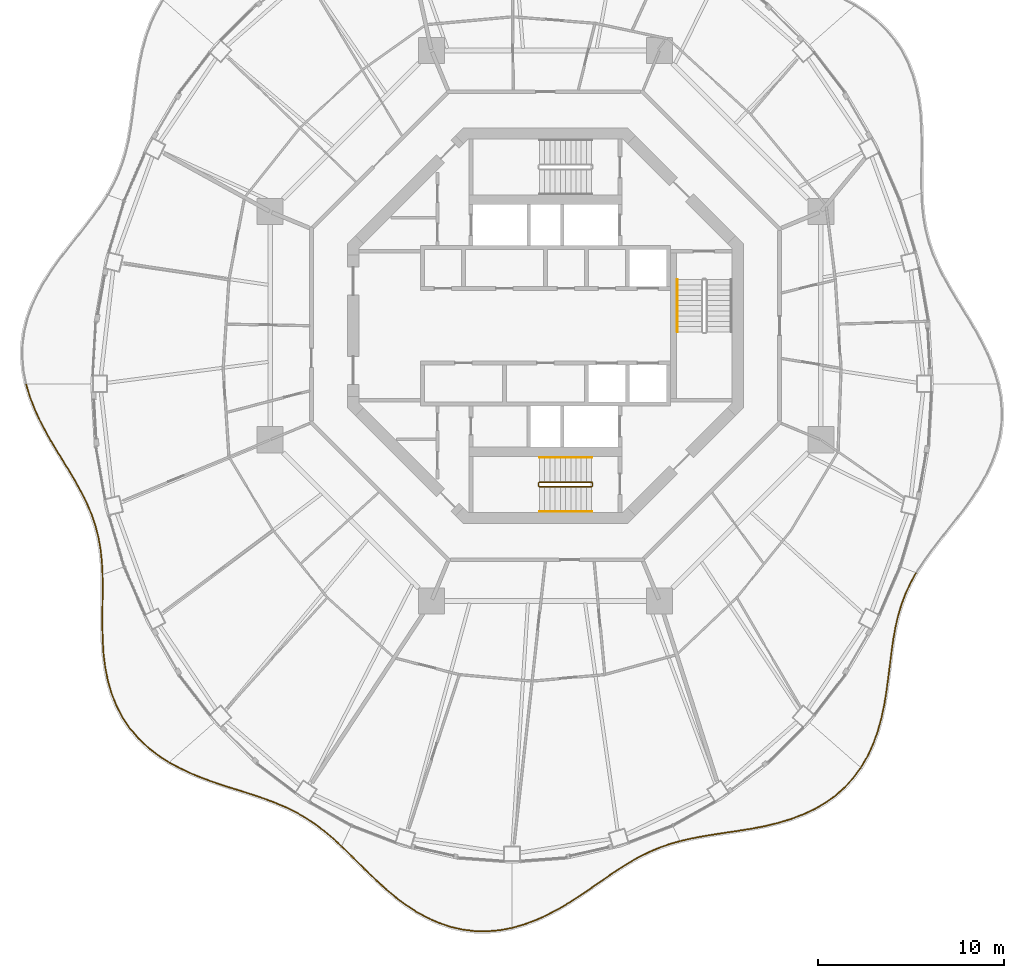
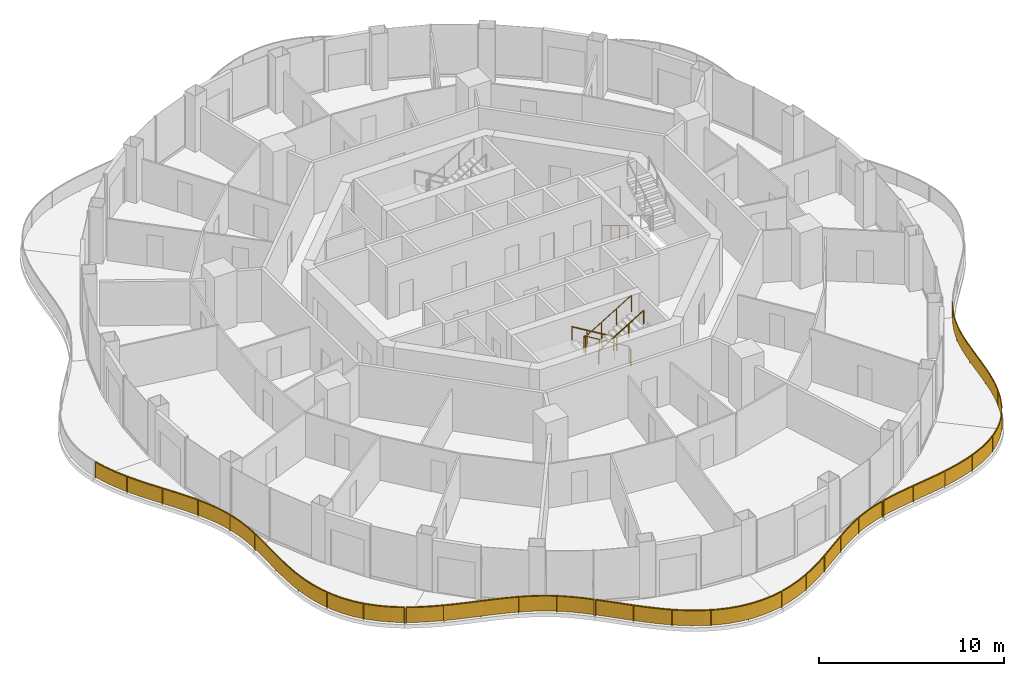
# One storey, part 15 of 17: 11 railings.
"""IFC4 building model written with IfcOpenShell, lengths in metres."""

from ifc_helpers import new_model, si_unit, direction, frame, origin, origin_2d, place, context, subcontext, project, spatial, polyline, rectangle, circle, outline, extrude, material, type_object, element, save


model = new_model("IFC4")

# Units and contexts
model_context = context("Model", 3, precision=1e-05, world=origin(), true_north=direction((0.0, 1.0)))
body_context = subcontext(model_context, "Body", "Model", "MODEL_VIEW")
ifc_project = project(units=[si_unit("LENGTHUNIT", "METRE"), si_unit("AREAUNIT", "SQUARE_METRE"), si_unit("VOLUMEUNIT", "CUBIC_METRE"), si_unit("PLANEANGLEUNIT", "RADIAN"), si_unit("MASSUNIT", "GRAM", prefix="KILO")], contexts=[model_context])

# Site, building, storey
site_placement = place(None, origin())
site = spatial("IfcSite", under=ifc_project, at=site_placement, CompositionType="ELEMENT")
building_placement = place(site_placement, origin())
building = spatial("IfcBuilding", under=site, at=building_placement, Name="Nagisa Residences", CompositionType="ELEMENT")
storey_placement = place(building_placement, frame((0.0, 0.0, 273.300048828125)))
storey = spatial("IfcBuildingStorey", under=building, at=storey_placement, Name="L69", CompositionType="ELEMENT", Elevation=273.300048828125)

# Railings
ifc_material_1 = material(Name="Stainless steel 316", Category="steel")
railing_type_1 = type_object("IfcRailingType", Name="BALCONY GUARD 1100", PredefinedType="BALUSTRADE", material=ifc_material_1)
railing_1_placement = place(storey_placement, frame((-27.88232421875, -3.15478515625, 0.0)))
element("IfcRailing", 1, at=railing_1_placement, inside=storey, type_object=railing_type_1, Name="guard:L69:bal08-0", PredefinedType="BALUSTRADE", context=body_context, shape_type="SweptSolid", body=[
    extrude(outline(polyline([(0.219482421875, -0.64892578125), (0.02392578125, 0.007080078125), (-0.02392578125, -0.007080078125), (0.172119140625, -0.6650390625), (0.439453125, -1.356689453125), (0.75537109375, -2.03515625), (1.107666015625, -2.6982421875), (1.48291015625, -3.345947265625), (1.865478515625, -3.965087890625), (2.2451171875, -4.585205078125), (2.607666015625, -5.195556640625), (2.942626953125, -5.80029296875), (3.240478515625, -6.403076171875), (3.49169921875, -6.9951171875), (3.69873046875, -7.608642578125), (3.857421875, -8.234130859375), (3.96923828125, -8.875732421875), (4.03955078125, -9.535888671875), (4.0712890625, -10.173583984375), (4.12109375, -10.171142578125), (4.08935546875, -9.531982421875), (4.01904296875, -8.868896484375), (3.90625, -8.223876953125), (3.74658203125, -7.594482421875), (3.53857421875, -6.9775390625), (3.285888671875, -6.382080078125), (2.987060546875, -5.77685546875), (2.651123046875, -5.170654296875), (2.2880859375, -4.559326171875), (1.907958984375, -3.938720703125), (1.52587890625, -3.320068359375), (1.151611328125, -2.673828125), (0.80029296875, -2.0126953125), (0.4853515625, -1.337158203125), (0.219482421875, -0.64892578125)])), frame((0.0, 0.0, 1.050048828125)), (0.0, 0.0, 1.0), 0.050048828125),
    extrude(outline(polyline([(0.202392578125, -0.65478515625), (0.006591796875, 0.001953125), (-0.006591796875, -0.001953125), (0.189208984375, -0.6591796875), (0.4560546875, -1.349609375), (0.771484375, -2.027099609375), (1.12353515625, -2.689453125), (1.498291015625, -3.336669921875), (1.880859375, -3.95556640625), (2.260498046875, -4.575927734375), (2.623291015625, -5.1865234375), (2.958740234375, -5.791748046875), (3.2568359375, -6.3955078125), (3.508544921875, -6.98876953125), (3.7158203125, -7.603515625), (3.875, -8.23046875), (3.9873046875, -8.873291015625), (4.057373046875, -9.534423828125), (4.089111328125, -10.172607421875), (4.103271484375, -10.172119140625), (4.071533203125, -9.533447265625), (4.0009765625, -8.871337890625), (3.888671875, -8.2275390625), (3.7294921875, -7.599609375), (3.521728515625, -6.98388671875), (3.26953125, -6.3896484375), (2.970947265625, -5.785400390625), (2.635498046875, -5.1796875), (2.272705078125, -4.568603515625), (1.892578125, -3.9482421875), (1.510498046875, -3.329345703125), (1.1357421875, -2.6826171875), (0.7841796875, -2.020751953125), (0.46875, -1.34423828125), (0.202392578125, -0.65478515625)])), frame((0.0, 0.0, 0.06005859375)), (0.0, 0.0, 1.0), 0.989990234375),
    extrude(rectangle(XDim=0.0400390625, YDim=0.0400390625, at=origin_2d()), origin(), (0.0, 0.0, 1.0), 1.050048828125),
    extrude(rectangle(XDim=0.0400390625, YDim=0.0400390625, at=origin_2d()), frame((0.80029296875, -2.066162109375, 0.0)), (0.0, 0.0, 1.0), 1.050048828125),
    extrude(rectangle(XDim=0.0400390625, YDim=0.0400390625, at=origin_2d()), frame((1.9091796875, -3.988525390625, 0.0)), (0.0, 0.0, 1.0), 1.050048828125),
    extrude(rectangle(XDim=0.0400390625, YDim=0.0400390625, at=origin_2d()), frame((3.023681640625, -5.90771484375, 0.0)), (0.0, 0.0, 1.0), 1.050048828125),
    extrude(rectangle(XDim=0.0400390625, YDim=0.0400390625, at=origin_2d()), frame((3.8173828125, -7.974609375, 0.0)), (0.0, 0.0, 1.0), 1.050048828125),
    extrude(rectangle(XDim=0.0400390625, YDim=0.0400390625, at=origin_2d()), frame((4.09619140625, -10.17236328125, 0.0)), (0.0, 0.0, 1.0), 1.050048828125),
])
railing_2_placement = place(storey_placement, frame((-23.785888671875, -13.400390625, 0.0)))
element("IfcRailing", 2, at=railing_2_placement, inside=storey, type_object=railing_type_1, Name="guard:L69:bal09-0", PredefinedType="BALUSTRADE", context=body_context, shape_type="SweptSolid", body=[
    extrude(outline(polyline([(0.0322265625, -0.63623046875), (0.02490234375, 0.000244140625), (-0.02490234375, -0.000244140625), (-0.01806640625, -0.63623046875), (-0.0234375, -1.333251953125), (-0.0322265625, -2.04541015625), (-0.033447265625, -2.769287109375), (-0.01416015625, -3.49951171875), (0.029052734375, -4.217041015625), (0.1201171875, -4.94140625), (0.26123046875, -5.65185546875), (0.45947265625, -6.341064453125), (0.7197265625, -7.001953125), (1.03759765625, -7.6171875), (1.42626953125, -8.200927734375), (1.87939453125, -8.740966796875), (2.3916015625, -9.233154296875), (2.9560546875, -9.67626953125), (3.527099609375, -10.043212890625), (3.553955078125, -10.001220703125), (2.98486328125, -9.63525390625), (2.42431640625, -9.195556640625), (1.916015625, -8.706787109375), (1.46630859375, -8.170654296875), (1.08056640625, -7.591796875), (0.76513671875, -6.9814453125), (0.5068359375, -6.324951171875), (0.31005859375, -5.64013671875), (0.16943359375, -4.93359375), (0.078857421875, -4.212646484375), (0.03564453125, -3.49755859375), (0.016845703125, -2.768798828125), (0.017578125, -2.0458984375), (0.0263671875, -1.333740234375), (0.0322265625, -0.63623046875)])), frame((0.0, 0.0, 1.050048828125)), (0.0, 0.0, 1.0), 0.050048828125),
    extrude(outline(polyline([(0.01416015625, -0.63623046875), (0.007080078125, 0.0), (-0.007080078125, 0.0), (0.0, -0.63623046875), (-0.005615234375, -1.33349609375), (-0.014404296875, -2.045654296875), (-0.015380859375, -2.76904296875), (0.003662109375, -3.498779296875), (0.046875, -4.215576171875), (0.137939453125, -4.938720703125), (0.27880859375, -5.647705078125), (0.4765625, -6.335205078125), (0.736083984375, -6.99462890625), (1.052978515625, -7.608154296875), (1.440673828125, -8.18994140625), (1.892578125, -8.728759765625), (2.4033203125, -9.2197265625), (2.96630859375, -9.661376953125), (3.53662109375, -10.028076171875), (3.54443359375, -10.016357421875), (2.974609375, -9.650146484375), (2.41259765625, -9.208984375), (1.90283203125, -8.718994140625), (1.451904296875, -8.181640625), (1.065185546875, -7.600830078125), (0.748779296875, -6.98876953125), (0.48974609375, -6.330810546875), (0.29248046875, -5.644287109375), (0.151611328125, -4.936279296875), (0.06103515625, -4.214111328125), (0.017822265625, -3.498291015625), (-0.001220703125, -2.76904296875), (-0.000244140625, -2.045654296875), (0.008544921875, -1.33349609375), (0.01416015625, -0.63623046875)])), frame((0.0, 0.0, 0.06005859375)), (0.0, 0.0, 1.0), 0.989990234375),
    extrude(rectangle(XDim=0.0400390625, YDim=0.0400390625, at=origin_2d()), origin(), (0.0, 0.0, 1.0), 1.050048828125),
    extrude(rectangle(XDim=0.0400390625, YDim=0.0400390625, at=origin_2d()), frame((-0.007568359375, -2.256103515625, 0.0)), (0.0, 0.0, 1.0), 1.050048828125),
    extrude(rectangle(XDim=0.0400390625, YDim=0.0400390625, at=origin_2d()), frame((0.0908203125, -4.50830078125, 0.0)), (0.0, 0.0, 1.0), 1.050048828125),
    extrude(rectangle(XDim=0.0400390625, YDim=0.0400390625, at=origin_2d()), frame((0.624755859375, -6.692626953125, 0.0)), (0.0, 0.0, 1.0), 1.050048828125),
    extrude(rectangle(XDim=0.0400390625, YDim=0.0400390625, at=origin_2d()), frame((1.797607421875, -8.6044921875, 0.0)), (0.0, 0.0, 1.0), 1.050048828125),
    extrude(rectangle(XDim=0.0400390625, YDim=0.0400390625, at=origin_2d()), frame((3.54052734375, -10.022216796875, 0.0)), (0.0, 0.0, 1.0), 1.050048828125),
])
railing_3_placement = place(storey_placement, frame((-20.178466796875, -23.46142578125, 0.0)))
element("IfcRailing", 3, at=railing_3_placement, inside=storey, type_object=railing_type_1, Name="guard:L69:bal10-0", PredefinedType="BALUSTRADE", context=body_context, shape_type="SweptSolid", body=[
    extrude(outline(polyline([(0.58447265625, -0.2861328125), (0.011962890625, 0.02197265625), (-0.011962890625, -0.02197265625), (0.56201171875, -0.3310546875), (1.200439453125, -0.62646484375), (1.8544921875, -0.889404296875), (2.515380859375, -1.125732421875), (3.1748046875, -1.343505859375), (3.8134765625, -1.53955078125), (4.449951171875, -1.7431640625), (5.066650390625, -1.952880859375), (5.660400390625, -2.17529296875), (6.22998046875, -2.418212890625), (6.760986328125, -2.67822265625), (7.282958984375, -2.9775390625), (7.78515625, -3.310791015625), (8.271240234375, -3.677978515625), (8.746826171875, -4.07861328125), (9.18408203125, -4.480224609375), (9.2177734375, -4.443603515625), (8.780029296875, -4.041015625), (8.302490234375, -3.638916015625), (7.81396484375, -3.269775390625), (7.309326171875, -2.93505859375), (6.784423828125, -2.6337890625), (6.2509765625, -2.372802734375), (5.678955078125, -2.12890625), (5.083251953125, -1.905517578125), (4.465576171875, -1.69580078125), (3.82861328125, -1.49169921875), (3.18994140625, -1.295654296875), (2.531494140625, -1.078369140625), (1.8720703125, -0.842529296875), (1.220458984375, -0.58056640625), (0.58447265625, -0.2861328125)])), frame((0.0, 0.0, 1.050048828125)), (0.0, 0.0, 1.0), 0.050048828125),
    extrude(outline(polyline([(0.576416015625, -0.30224609375), (0.00341796875, 0.006103515625), (-0.00341796875, -0.006103515625), (0.570068359375, -0.31494140625), (1.207763671875, -0.60986328125), (1.86083984375, -0.87255859375), (2.521240234375, -1.108642578125), (3.18017578125, -1.326171875), (3.81884765625, -1.522216796875), (4.45556640625, -1.72607421875), (5.072509765625, -1.935791015625), (5.6669921875, -2.15869140625), (6.237548828125, -2.40185546875), (6.76953125, -2.662109375), (7.29248046875, -2.962158203125), (7.79541015625, -3.2958984375), (8.282470703125, -3.663818359375), (8.7587890625, -4.065185546875), (9.1962890625, -4.467041015625), (9.20556640625, -4.456787109375), (8.76806640625, -4.054443359375), (8.291259765625, -3.653076171875), (7.8037109375, -3.28466796875), (7.2998046875, -2.950439453125), (6.77587890625, -2.64990234375), (6.243408203125, -2.38916015625), (5.67236328125, -2.1455078125), (5.077392578125, -1.922607421875), (4.4599609375, -1.712890625), (3.8232421875, -1.509033203125), (3.1845703125, -1.31298828125), (2.525634765625, -1.095458984375), (1.86572265625, -0.859375), (1.213134765625, -0.59716796875), (0.576416015625, -0.30224609375)])), frame((0.0, 0.0, 0.06005859375)), (0.0, 0.0, 1.0), 0.989990234375),
    extrude(rectangle(XDim=0.0400390625, YDim=0.0400390625, at=origin_2d()), origin(), (0.0, 0.0, 1.0), 1.050048828125),
    extrude(rectangle(XDim=0.0400390625, YDim=0.0400390625, at=origin_2d()), frame((1.870849609375, -0.86865234375, 0.0)), (0.0, 0.0, 1.0), 1.050048828125),
    extrude(rectangle(XDim=0.0400390625, YDim=0.0400390625, at=origin_2d()), frame((3.830322265625, -1.5185546875, 0.0)), (0.0, 0.0, 1.0), 1.050048828125),
    extrude(rectangle(XDim=0.0400390625, YDim=0.0400390625, at=origin_2d()), frame((5.779296875, -2.19873046875, 0.0)), (0.0, 0.0, 1.0), 1.050048828125),
    extrude(rectangle(XDim=0.0400390625, YDim=0.0400390625, at=origin_2d()), frame((7.602294921875, -3.159423828125, 0.0)), (0.0, 0.0, 1.0), 1.050048828125),
    extrude(rectangle(XDim=0.0400390625, YDim=0.0400390625, at=origin_2d()), frame((9.200927734375, -4.4619140625, 0.0)), (0.0, 0.0, 1.0), 1.050048828125),
])
railing_4_placement = place(storey_placement, frame((-10.92578125, -27.97509765625, 0.0)))
element("IfcRailing", 4, at=railing_4_placement, inside=storey, type_object=railing_type_1, Name="guard:L69:bal11-0", PredefinedType="BALUSTRADE", context=body_context, shape_type="SweptSolid", body=[
    extrude(outline(polyline([(0.438720703125, -0.391845703125), (0.017333984375, 0.017822265625), (-0.017333984375, -0.017822265625), (0.403564453125, -0.427490234375), (0.8642578125, -0.88427734375), (1.3359375, -1.3505859375), (1.8232421875, -1.818359375), (2.329833984375, -2.27783203125), (2.841796875, -2.714111328125), (3.394287109375, -3.128173828125), (3.970703125, -3.50439453125), (4.5703125, -3.83447265625), (5.191650390625, -4.1103515625), (5.816162109375, -4.32275390625), (6.46826171875, -4.471923828125), (7.133056640625, -4.55224609375), (7.803466796875, -4.563232421875), (8.47412109375, -4.505126953125), (9.09228515625, -4.38818359375), (9.0830078125, -4.3388671875), (8.46728515625, -4.455322265625), (7.801513671875, -4.512939453125), (7.136474609375, -4.50244140625), (6.47705078125, -4.422607421875), (5.829833984375, -4.2744140625), (5.209716796875, -4.0634765625), (4.5927734375, -3.78955078125), (3.99658203125, -3.46142578125), (3.423095703125, -3.087158203125), (2.873046875, -2.675048828125), (2.363037109375, -2.240234375), (1.857421875, -1.78173828125), (1.37109375, -1.31494140625), (0.8994140625, -0.8486328125), (0.438720703125, -0.391845703125)])), frame((0.0, 0.0, 1.050048828125)), (0.0, 0.0, 1.0), 0.050048828125),
    extrude(outline(polyline([(0.426025390625, -0.40478515625), (0.0048828125, 0.005126953125), (-0.0048828125, -0.005126953125), (0.416259765625, -0.41455078125), (0.876953125, -0.871337890625), (1.3486328125, -1.337890625), (1.83544921875, -1.80517578125), (2.341796875, -2.264404296875), (2.85302734375, -2.699951171875), (3.40478515625, -3.113525390625), (3.97998046875, -3.489013671875), (4.578369140625, -3.818359375), (5.1982421875, -4.093505859375), (5.821044921875, -4.305419921875), (6.471435546875, -4.4541015625), (7.13427734375, -4.534423828125), (7.802734375, -4.545166015625), (8.4716796875, -4.487060546875), (9.0888671875, -4.370361328125), (9.08642578125, -4.356689453125), (8.4697265625, -4.473388671875), (7.80224609375, -4.531005859375), (7.13525390625, -4.520263671875), (6.473876953125, -4.4404296875), (5.824951171875, -4.291748046875), (5.203125, -4.080322265625), (4.584716796875, -3.8056640625), (3.9873046875, -3.476806640625), (3.41259765625, -3.101806640625), (2.86181640625, -2.689208984375), (2.35107421875, -2.253662109375), (1.84521484375, -1.794921875), (1.3583984375, -1.32763671875), (0.88671875, -0.861572265625), (0.426025390625, -0.40478515625)])), frame((0.0, 0.0, 0.06005859375)), (0.0, 0.0, 1.0), 0.989990234375),
    extrude(rectangle(XDim=0.0400390625, YDim=0.0400390625, at=origin_2d()), origin(), (0.0, 0.0, 1.0), 1.050048828125),
    extrude(rectangle(XDim=0.0400390625, YDim=0.0400390625, at=origin_2d()), frame((1.515625, -1.48828125, 0.0)), (0.0, 0.0, 1.0), 1.050048828125),
    extrude(rectangle(XDim=0.0400390625, YDim=0.0400390625, at=origin_2d()), frame((3.11328125, -2.88623046875, 0.0)), (0.0, 0.0, 1.0), 1.050048828125),
    extrude(rectangle(XDim=0.0400390625, YDim=0.0400390625, at=origin_2d()), frame((4.934326171875, -3.96875, 0.0)), (0.0, 0.0, 1.0), 1.050048828125),
    extrude(rectangle(XDim=0.0400390625, YDim=0.0400390625, at=origin_2d()), frame((6.97802734375, -4.50830078125, 0.0)), (0.0, 0.0, 1.0), 1.050048828125),
    extrude(rectangle(XDim=0.0400390625, YDim=0.0400390625, at=origin_2d()), frame((9.087646484375, -4.363525390625, 0.0)), (0.0, 0.0, 1.0), 1.050048828125),
])
railing_5_placement = place(storey_placement, frame((-1.7626953125, -32.3203125, 0.0)))
element("IfcRailing", 5, at=railing_5_placement, inside=storey, type_object=railing_type_1, Name="guard:L69:bal12-0", PredefinedType="BALUSTRADE", context=body_context, shape_type="SweptSolid", body=[
    extrude(outline(polyline([(0.601318359375, 0.197021484375), (-0.0068359375, 0.024169921875), (0.0068359375, -0.024169921875), (0.616943359375, 0.149658203125), (1.261474609375, 0.38916015625), (1.89013671875, 0.675537109375), (2.50146484375, 0.99951171875), (3.09375, 1.351318359375), (3.650146484375, 1.71826171875), (4.206787109375, 2.09521484375), (4.748291015625, 2.470458984375), (5.2783203125, 2.834716796875), (5.800537109375, 3.1806640625), (6.302001953125, 3.496337890625), (6.82177734375, 3.787841796875), (7.34716796875, 4.046875), (7.88232421875, 4.2724609375), (8.431396484375, 4.465576171875), (8.955810546875, 4.616455078125), (8.942138671875, 4.664794921875), (8.416259765625, 4.513427734375), (7.8642578125, 4.3193359375), (7.326171875, 4.09228515625), (6.79833984375, 3.832275390625), (6.276611328125, 3.539306640625), (5.773193359375, 3.22265625), (5.25048828125, 2.876220703125), (4.719970703125, 2.511474609375), (4.178466796875, 2.13671875), (3.622314453125, 1.759765625), (3.0673828125, 1.393798828125), (2.47705078125, 1.04296875), (1.8681640625, 0.720458984375), (1.242431640625, 0.435546875), (0.601318359375, 0.197021484375)])), frame((0.0, 0.0, 1.050048828125)), (0.0, 0.0, 1.0), 0.050048828125),
    extrude(outline(polyline([(0.60693359375, 0.179931640625), (-0.001953125, 0.0068359375), (0.001953125, -0.0068359375), (0.611328125, 0.166748046875), (1.254638671875, 0.40576171875), (1.88232421875, 0.691650390625), (2.49267578125, 1.01513671875), (3.084228515625, 1.36669921875), (3.64013671875, 1.733154296875), (4.196533203125, 2.110107421875), (4.738037109375, 2.485107421875), (5.268310546875, 2.849609375), (5.790771484375, 3.19580078125), (6.29296875, 3.51171875), (6.813232421875, 3.803955078125), (7.339599609375, 4.063232421875), (7.875732421875, 4.289306640625), (8.426025390625, 4.48291015625), (8.950927734375, 4.6337890625), (8.947021484375, 4.6474609375), (8.421630859375, 4.49609375), (7.870849609375, 4.302490234375), (7.333740234375, 4.075927734375), (6.806884765625, 3.816162109375), (6.28564453125, 3.52392578125), (5.782958984375, 3.20751953125), (5.260498046875, 2.861328125), (4.730224609375, 2.496826171875), (4.188720703125, 2.121826171875), (3.63232421875, 1.744873046875), (3.076904296875, 1.37841796875), (2.48583984375, 1.02734375), (1.8759765625, 0.704345703125), (1.249267578125, 0.4189453125), (0.60693359375, 0.179931640625)])), frame((0.0, 0.0, 0.06005859375)), (0.0, 0.0, 1.0), 0.989990234375),
    extrude(rectangle(XDim=0.0400390625, YDim=0.0400390625, at=origin_2d()), origin(), (0.0, 0.0, 1.0), 1.050048828125),
    extrude(rectangle(XDim=0.0400390625, YDim=0.0400390625, at=origin_2d()), frame((1.897216796875, 0.70751953125, 0.0)), (0.0, 0.0, 1.0), 1.050048828125),
    extrude(rectangle(XDim=0.0400390625, YDim=0.0400390625, at=origin_2d()), frame((3.640625, 1.741943359375, 0.0)), (0.0, 0.0, 1.0), 1.050048828125),
    extrude(rectangle(XDim=0.0400390625, YDim=0.0400390625, at=origin_2d()), frame((5.314208984375, 2.888427734375, 0.0)), (0.0, 0.0, 1.0), 1.050048828125),
    extrude(rectangle(XDim=0.0400390625, YDim=0.0400390625, at=origin_2d()), frame((7.052978515625, 3.9296875, 0.0)), (0.0, 0.0, 1.0), 1.050048828125),
    extrude(rectangle(XDim=0.0400390625, YDim=0.0400390625, at=origin_2d()), frame((8.948974609375, 4.640625, 0.0)), (0.0, 0.0, 1.0), 1.050048828125),
])
railing_6_placement = place(storey_placement, frame((7.2548828125, -27.66357421875, 0.0)))
element("IfcRailing", 6, at=railing_6_placement, inside=storey, type_object=railing_type_1, Name="guard:L69:bal13-0", PredefinedType="BALUSTRADE", context=body_context, shape_type="SweptSolid", body=[
    extrude(outline(polyline([(0.560791015625, 0.155517578125), (-0.005615234375, 0.0244140625), (0.005615234375, -0.0244140625), (0.571044921875, 0.106689453125), (1.19873046875, 0.226806640625), (1.8466796875, 0.3330078125), (2.512451171875, 0.43310546875), (3.192626953125, 0.53662109375), (3.867919921875, 0.6435546875), (4.560546875, 0.781005859375), (5.2490234375, 0.948486328125), (5.92578125, 1.153076171875), (6.582763671875, 1.400634765625), (7.199951171875, 1.68603515625), (7.794189453125, 2.032958984375), (8.3466796875, 2.43212890625), (8.851806640625, 2.883056640625), (9.3056640625, 3.383544921875), (9.67626953125, 3.89208984375), (9.6357421875, 3.92138671875), (9.2666015625, 3.415283203125), (8.816650390625, 2.918701171875), (8.3154296875, 2.47119140625), (7.766845703125, 2.074951171875), (7.177001953125, 1.73046875), (6.563232421875, 1.447021484375), (5.90966796875, 1.200439453125), (5.23583984375, 0.996826171875), (4.5498046875, 0.829833984375), (3.859130859375, 0.69287109375), (3.184814453125, 0.5859375), (2.505126953125, 0.482421875), (1.8388671875, 0.38232421875), (1.18994140625, 0.276123046875), (0.560791015625, 0.155517578125)])), frame((0.0, 0.0, 1.050048828125)), (0.0, 0.0, 1.0), 0.050048828125),
    extrude(outline(polyline([(0.564453125, 0.137939453125), (-0.00146484375, 0.0068359375), (0.00146484375, -0.0068359375), (0.5673828125, 0.124267578125), (1.195556640625, 0.24462890625), (1.84375, 0.350830078125), (2.509765625, 0.450927734375), (3.189697265625, 0.554443359375), (3.86474609375, 0.661376953125), (4.556640625, 0.798583984375), (5.244384765625, 0.9658203125), (5.919921875, 1.170166015625), (6.57568359375, 1.41748046875), (7.191650390625, 1.7021484375), (7.784423828125, 2.048095703125), (8.33544921875, 2.4462890625), (8.839111328125, 2.89599609375), (9.29150390625, 3.39501953125), (9.66162109375, 3.902587890625), (9.650390625, 3.910888671875), (9.28076171875, 3.40380859375), (8.829345703125, 2.90576171875), (8.32666015625, 2.45703125), (7.776611328125, 2.059814453125), (7.185302734375, 1.71435546875), (6.5703125, 1.43017578125), (5.91552734375, 1.183349609375), (5.240478515625, 0.9794921875), (4.5537109375, 0.812255859375), (3.8623046875, 0.675048828125), (3.187744140625, 0.568115234375), (2.5078125, 0.464599609375), (1.841796875, 0.364501953125), (1.193115234375, 0.25830078125), (0.564453125, 0.137939453125)])), frame((0.0, 0.0, 0.06005859375)), (0.0, 0.0, 1.0), 0.989990234375),
    extrude(rectangle(XDim=0.0400390625, YDim=0.0400390625, at=origin_2d()), origin(), (0.0, 0.0, 1.0), 1.050048828125),
    extrude(rectangle(XDim=0.0400390625, YDim=0.0400390625, at=origin_2d()), frame((2.113525390625, 0.3984375, 0.0)), (0.0, 0.0, 1.0), 1.050048828125),
    extrude(rectangle(XDim=0.0400390625, YDim=0.0400390625, at=origin_2d()), frame((4.2373046875, 0.742431640625, 0.0)), (0.0, 0.0, 1.0), 1.050048828125),
    extrude(rectangle(XDim=0.0400390625, YDim=0.0400390625, at=origin_2d()), frame((6.305908203125, 1.3232421875, 0.0)), (0.0, 0.0, 1.0), 1.050048828125),
    extrude(rectangle(XDim=0.0400390625, YDim=0.0400390625, at=origin_2d()), frame((8.18798828125, 2.348388671875, 0.0)), (0.0, 0.0, 1.0), 1.050048828125),
    extrude(rectangle(XDim=0.0400390625, YDim=0.0400390625, at=origin_2d()), frame((9.656005859375, 3.90673828125, 0.0)), (0.0, 0.0, 1.0), 1.050048828125),
])
railing_7_placement = place(storey_placement, frame((16.953125, -23.69189453125, 0.0)))
element("IfcRailing", 7, at=railing_7_placement, inside=storey, type_object=railing_type_1, Name="guard:L69:bal14-0", PredefinedType="BALUSTRADE", context=body_context, shape_type="SweptSolid", body=[
    extrude(outline(polyline([(0.3125, 0.586669921875), (-0.021728515625, 0.0126953125), (0.021728515625, -0.0126953125), (0.35693359375, 0.563720703125), (0.65869140625, 1.21826171875), (0.905029296875, 1.903076171875), (1.10205078125, 2.60888671875), (1.257080078125, 3.327880859375), (1.37060546875, 4.03857421875), (1.470458984375, 4.7587890625), (1.558349609375, 5.46875), (1.6455078125, 6.163330078125), (1.74267578125, 6.8388671875), (1.853515625, 7.478759765625), (1.9990234375, 8.108642578125), (2.180419921875, 8.715576171875), (2.40185546875, 9.3017578125), (2.666259765625, 9.8701171875), (2.9541015625, 10.388427734375), (2.91015625, 10.412841796875), (2.621826171875, 9.89306640625), (2.35546875, 9.3212890625), (2.133056640625, 8.731689453125), (1.95068359375, 8.121337890625), (1.80419921875, 7.488525390625), (1.693359375, 6.8466796875), (1.595703125, 6.170166015625), (1.508544921875, 5.47509765625), (1.420654296875, 4.76513671875), (1.3212890625, 4.0458984375), (1.207763671875, 3.337158203125), (1.05322265625, 2.62109375), (0.857177734375, 1.918212890625), (0.6123046875, 1.2373046875), (0.3125, 0.586669921875)])), frame((0.0, 0.0, 1.050048828125)), (0.0, 0.0, 1.0), 0.050048828125),
    extrude(outline(polyline([(0.32861328125, 0.578369140625), (-0.006103515625, 0.00341796875), (0.006103515625, -0.00341796875), (0.3408203125, 0.572021484375), (0.64208984375, 1.22509765625), (0.8876953125, 1.908447265625), (1.08447265625, 2.61328125), (1.2392578125, 3.331298828125), (1.352783203125, 4.041259765625), (1.452392578125, 4.760986328125), (1.540283203125, 5.470947265625), (1.62744140625, 6.165771484375), (1.724853515625, 6.841796875), (1.835693359375, 7.482177734375), (1.981689453125, 8.11328125), (2.163330078125, 8.721435546875), (2.385009765625, 9.308837890625), (2.650390625, 9.87841796875), (2.938232421875, 10.397216796875), (2.926025390625, 10.404052734375), (2.6376953125, 9.884765625), (2.372314453125, 9.314208984375), (2.150146484375, 8.725830078125), (1.968017578125, 8.11669921875), (1.822021484375, 7.485107421875), (1.711181640625, 6.84375), (1.61376953125, 6.167724609375), (1.526611328125, 5.472900390625), (1.438720703125, 4.762939453125), (1.339111328125, 4.043212890625), (1.2255859375, 3.333740234375), (1.07080078125, 2.61669921875), (0.87451171875, 1.912841796875), (0.62890625, 1.23046875), (0.32861328125, 0.578369140625)])), frame((0.0, 0.0, 0.06005859375)), (0.0, 0.0, 1.0), 0.989990234375),
    extrude(rectangle(XDim=0.0400390625, YDim=0.0400390625, at=origin_2d()), origin(), (0.0, 0.0, 1.0), 1.050048828125),
    extrude(rectangle(XDim=0.0400390625, YDim=0.0400390625, at=origin_2d()), frame((0.900146484375, 1.97900390625, 0.0)), (0.0, 0.0, 1.0), 1.050048828125),
    extrude(rectangle(XDim=0.0400390625, YDim=0.0400390625, at=origin_2d()), frame((1.355224609375, 4.109130859375, 0.0)), (0.0, 0.0, 1.0), 1.050048828125),
    extrude(rectangle(XDim=0.0400390625, YDim=0.0400390625, at=origin_2d()), frame((1.6357421875, 6.271728515625, 0.0)), (0.0, 0.0, 1.0), 1.050048828125),
    extrude(rectangle(XDim=0.0400390625, YDim=0.0400390625, at=origin_2d()), frame((2.062255859375, 8.407470703125, 0.0)), (0.0, 0.0, 1.0), 1.050048828125),
    extrude(rectangle(XDim=0.0400390625, YDim=0.0400390625, at=origin_2d()), frame((2.93212890625, 10.400634765625, 0.0)), (0.0, 0.0, 1.0), 1.050048828125),
])
ifc_material_2 = material(Name="Stainless steel", Category="steel")
railing_type_2 = type_object("IfcRailingType", Name="Stair guard 1100", PredefinedType="GUARDRAIL", material=ifc_material_2)
railing_8_placement = place(storey_placement, frame((2.52490234375, -8.599609375, 0.0)))
element("IfcRailing", 8, at=railing_8_placement, inside=storey, type_object=railing_type_2, Name="L69 ST-S stair guard 1", PredefinedType="GUARDRAIL", context=body_context, shape_type="SweptSolid", body=[
    extrude(circle(Radius=0.02392578125, at=origin_2d()), frame((0.0, 0.0, 1.076171875), z_axis=(0.0, 1.0, 0.0), x_axis=(-1.0, 0.0, 0.0)), (0.0, 0.0, 1.0), 0.14990234375),
    extrude(circle(Radius=0.02392578125, at=origin_2d()), frame((0.0, 0.14990234375, 1.076171875), z_axis=(-0.273006030465, 0.27434429532, 0.922064485248), x_axis=(-0.708833529934, -0.705375805398, 0.0)), (0.0, 0.0, 1.0), 0.182373046875),
    extrude(circle(Radius=0.02392578125, at=origin_2d()), frame((-0.0498046875, 0.199951171875, 1.244140625), z_axis=(-0.857275202839, 0.0, 0.514858452973), x_axis=(0.0, -1.0, 0.0)), (0.0, 0.0, 1.0), 3.26611328125),
    extrude(circle(Radius=0.02392578125, at=origin_2d()), frame((-2.849853515625, 0.199951171875, 2.92578125), z_axis=(-0.707106781187, -0.707106781187, 0.0), x_axis=(0.707106781187, -0.707106781187, 0.0)), (0.0, 0.0, 1.0), 0.07080078125),
    extrude(circle(Radius=0.02392578125, at=origin_2d()), frame((-2.89990234375, 0.14990234375, 2.92578125), z_axis=(0.0, -1.0, 0.0), x_axis=(1.0, 0.0, 0.0)), (0.0, 0.0, 1.0), 0.14990234375),
    extrude(circle(Radius=0.02392578125, at=origin_2d()), frame((-2.89990234375, 0.0, 2.92578125), z_axis=(0.274243871929, -0.274243871929, 0.92172696468), x_axis=(0.707106781187, 0.707106781187, 0.0)), (0.0, 0.0, 1.0), 0.1826171875),
    extrude(circle(Radius=0.02392578125, at=origin_2d()), frame((-2.849853515625, -0.050048828125, 3.09423828125), z_axis=(0.857242210791, 0.0, 0.514913383045), x_axis=(0.0, 1.0, 0.0)), (0.0, 0.0, 1.0), 3.266357421875),
    extrude(circle(Radius=0.02099609375, at=origin_2d()), origin(), (0.0, 0.0, 1.0), 1.052001953125),
    extrude(circle(Radius=0.02099609375, at=origin_2d()), frame((0.0, 0.14990234375, 0.0)), (0.0, 0.0, 1.0), 1.052001953125),
    extrude(circle(Radius=0.02099609375, at=origin_2d()), frame((-0.0498046875, 0.199951171875, 0.168212890625)), (0.0, 0.0, 1.0), 1.052001953125),
    extrude(circle(Radius=0.02099609375, at=origin_2d()), frame((-0.983154296875, 0.199951171875, 0.728759765625)), (0.0, 0.0, 1.0), 1.052001953125),
    extrude(circle(Radius=0.02099609375, at=origin_2d()), frame((-1.91650390625, 0.199951171875, 1.289306640625)), (0.0, 0.0, 1.0), 1.052001953125),
    extrude(circle(Radius=0.02099609375, at=origin_2d()), frame((-2.849853515625, 0.199951171875, 1.849853515625)), (0.0, 0.0, 1.0), 1.052001953125),
    extrude(circle(Radius=0.02099609375, at=origin_2d()), frame((-2.89990234375, 0.14990234375, 1.849853515625)), (0.0, 0.0, 1.0), 1.052001953125),
    extrude(circle(Radius=0.02099609375, at=origin_2d()), frame((-2.89990234375, 0.0, 1.849853515625)), (0.0, 0.0, 1.0), 1.052001953125),
    extrude(circle(Radius=0.02099609375, at=origin_2d()), frame((-2.849853515625, -0.050048828125, 2.01806640625)), (0.0, 0.0, 1.0), 1.052001953125),
    extrude(circle(Radius=0.02099609375, at=origin_2d()), frame((-1.91650390625, -0.050048828125, 2.57861328125)), (0.0, 0.0, 1.0), 1.052001953125),
    extrude(circle(Radius=0.02099609375, at=origin_2d()), frame((-0.983154296875, -0.050048828125, 3.139404296875)), (0.0, 0.0, 1.0), 1.052001953125),
    extrude(circle(Radius=0.02099609375, at=origin_2d()), frame((-0.0498046875, -0.050048828125, 3.699951171875)), (0.0, 0.0, 1.0), 1.052001953125),
])
ifc_material_3 = material(Name="Stainless steel", Category="steel")
railing_type_3 = type_object("IfcRailingType", Name="Stair handrail 900", PredefinedType="HANDRAIL", material=ifc_material_3)
railing_9_placement = place(storey_placement, frame((7.07470703125, 2.47509765625, 0.168212890625)))
element("IfcRailing", 9, at=railing_9_placement, inside=storey, type_object=railing_type_3, Name="L69 ST-E stair handrail 1", PredefinedType="HANDRAIL", context=body_context, shape_type="SweptSolid", body=[
    extrude(circle(Radius=0.02392578125, at=origin_2d()), frame((0.0, 0.0, 0.8759765625), z_axis=(0.0, -0.857275202839, 0.514858452973), x_axis=(1.0, 0.0, 0.0)), (0.0, 0.0, 1.0), 3.26611328125),
    extrude(circle(Radius=0.02099609375, at=origin_2d()), origin(), (0.0, 0.0, 1.0), 0.851806640625),
    extrude(circle(Radius=0.02099609375, at=origin_2d()), frame((0.0, -0.933349609375, 0.560546875)), (0.0, 0.0, 1.0), 0.851806640625),
    extrude(circle(Radius=0.02099609375, at=origin_2d()), frame((0.0, -1.86669921875, 1.12109375)), (0.0, 0.0, 1.0), 0.851806640625),
    extrude(circle(Radius=0.02099609375, at=origin_2d()), frame((0.0, -2.800048828125, 1.681640625)), (0.0, 0.0, 1.0), 0.851806640625),
])
railing_10_placement = place(storey_placement, frame((2.47509765625, -7.07470703125, 0.168212890625)))
element("IfcRailing", 10, at=railing_10_placement, inside=storey, type_object=railing_type_3, Name="L69 ST-S stair handrail 1", PredefinedType="HANDRAIL", context=body_context, shape_type="SweptSolid", body=[
    extrude(circle(Radius=0.02392578125, at=origin_2d()), frame((0.0, 0.0, 0.8759765625), z_axis=(-0.857275202839, 0.0, 0.514858452973), x_axis=(0.0, -1.0, 0.0)), (0.0, 0.0, 1.0), 3.26611328125),
    extrude(circle(Radius=0.02099609375, at=origin_2d()), origin(), (0.0, 0.0, 1.0), 0.851806640625),
    extrude(circle(Radius=0.02099609375, at=origin_2d()), frame((-0.933349609375, 0.0, 0.560546875)), (0.0, 0.0, 1.0), 0.851806640625),
    extrude(circle(Radius=0.02099609375, at=origin_2d()), frame((-1.86669921875, 0.0, 1.12109375)), (0.0, 0.0, 1.0), 0.851806640625),
    extrude(circle(Radius=0.02099609375, at=origin_2d()), frame((-2.800048828125, 0.0, 1.681640625)), (0.0, 0.0, 1.0), 0.851806640625),
])
railing_11_placement = place(storey_placement, frame((-0.324951171875, -9.974609375, 2.01806640625)))
element("IfcRailing", 11, at=railing_11_placement, inside=storey, type_object=railing_type_3, Name="L69 ST-S stair handrail 2", PredefinedType="HANDRAIL", context=body_context, shape_type="SweptSolid", body=[
    extrude(circle(Radius=0.02392578125, at=origin_2d()), frame((0.0, 0.0, 0.8759765625), z_axis=(0.857242210791, 0.0, 0.514913383045), x_axis=(0.0, 1.0, 0.0)), (0.0, 0.0, 1.0), 3.266357421875),
    extrude(circle(Radius=0.02099609375, at=origin_2d()), origin(), (0.0, 0.0, 1.0), 0.851806640625),
    extrude(circle(Radius=0.02099609375, at=origin_2d()), frame((0.933349609375, 0.0, 0.560546875)), (0.0, 0.0, 1.0), 0.851806640625),
    extrude(circle(Radius=0.02099609375, at=origin_2d()), frame((1.86669921875, 0.0, 1.121337890625)), (0.0, 0.0, 1.0), 0.851806640625),
    extrude(circle(Radius=0.02099609375, at=origin_2d()), frame((2.800048828125, 0.0, 1.681884765625)), (0.0, 0.0, 1.0), 0.851806640625),
])

save(model, "model.ifc")
